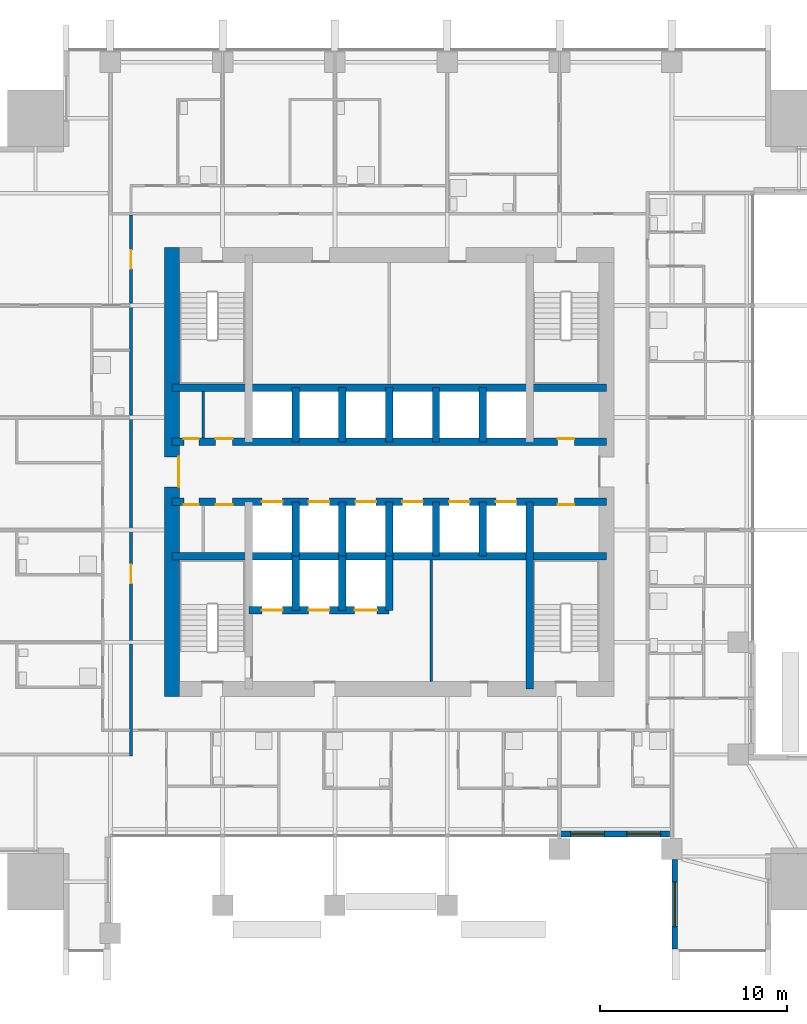
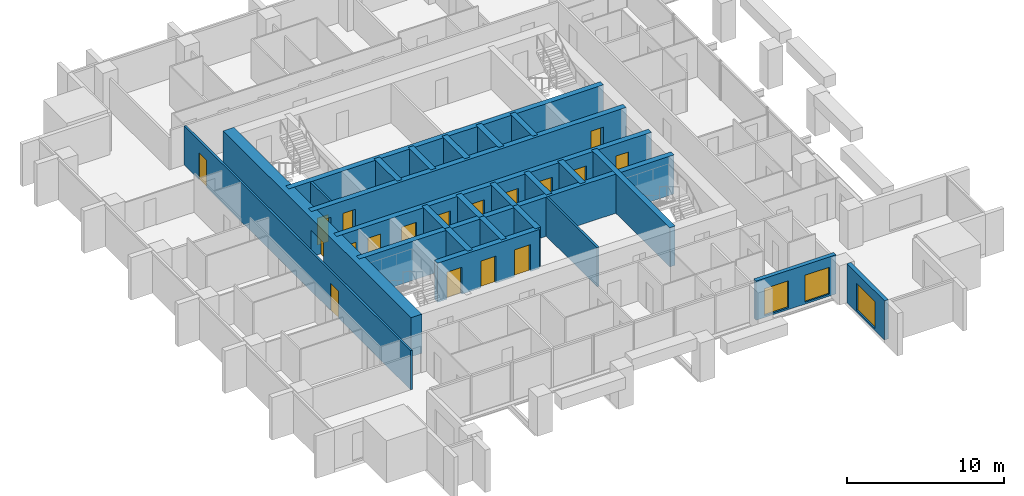
# One storey, part 8 of 13: 25 walls, 18 doors, 3 windows, 21 openings.
"""IFC4 building model written with IfcOpenShell, lengths in metres."""

from ifc_helpers import new_model, si_unit, direction, frame, frame_2d, origin, place, context, subcontext, project, spatial, rectangle, extrude, material, layer, layer_set, type_object, element, fill, save


model = new_model("IFC4")

# Units and contexts
model_context = context("Model", 3, precision=1e-05, world=origin(), true_north=direction((0.0, 1.0)))
body_context = subcontext(model_context, "Body", "Model", "MODEL_VIEW")
ifc_project = project(units=[si_unit("LENGTHUNIT", "METRE"), si_unit("AREAUNIT", "SQUARE_METRE"), si_unit("VOLUMEUNIT", "CUBIC_METRE"), si_unit("PLANEANGLEUNIT", "RADIAN"), si_unit("MASSUNIT", "GRAM", prefix="KILO")], contexts=[model_context])

# Site, building, storey
site_placement = place(None, origin())
site = spatial("IfcSite", under=ifc_project, at=site_placement, CompositionType="ELEMENT")
building_placement = place(site_placement, origin())
building = spatial("IfcBuilding", under=site, at=building_placement, Name="Amberfall Residences", CompositionType="ELEMENT")
storey_placement = place(building_placement, frame((0.0, 0.0, 111.699951171875)))
storey = spatial("IfcBuildingStorey", under=building, at=storey_placement, Name="L30", CompositionType="ELEMENT", Elevation=111.699951171875)

# Wall, opening, window
ifc_material_1 = material(Name="Pale stone cladding on insulated backing", Category="masonry")
ifc_layer_1 = layer(ifc_material_1, 0.300048828125)
ifc_layer_set_1 = layer_set([ifc_layer_1], Name="Bronze clad wall 300")
wall_type_1 = type_object("IfcWallType", Name="Bronze clad wall 300", PredefinedType="SOLIDWALL", material=ifc_layer_set_1)
wall_1_placement = place(storey_placement, frame((89.75, 24.800048828125, 0.0), z_axis=(0.0, 0.0, 1.0), x_axis=(0.0, -1.0, 0.0)))
wall_1 = element("IfcWall", 1, at=wall_1_placement, inside=storey, type_object=wall_type_1, Name="External wall L30 S", PredefinedType="SOLIDWALL", context=body_context, shape_type="SweptSolid", body=[
    extrude(rectangle(XDim=4.800048828125, YDim=0.300048828125, at=frame_2d((2.39990234375, 0.0))), origin(), (0.0, 0.0, 1.0), 3.050048828125),
])
opening_1_placement = place(wall_1_placement, frame((1.199951171875, 0.0, 0.14990234375)))
opening_1 = element("IfcOpeningElement", 2, at=opening_1_placement, cuts=wall_1, Name="Opening WN5", PredefinedType="OPENING", context=body_context, shape_type="SweptSolid", body=[
    extrude(rectangle(XDim=2.39990234375, YDim=2.10009765625, at=frame_2d((1.199951171875, 1.050048828125))), frame((0.0, 0.159912109375, 0.0), z_axis=(0.0, -1.0, 0.0), x_axis=(1.0, 0.0, 0.0)), (0.0, 0.0, 1.0), 0.320068359375),
])
ifc_material_2 = material(Name="Bronze aluminium framed glazing", Category="aluminium")
window_type_1 = type_object("IfcWindowType", Name="Glazed opening 2400 x 2100 bronze", PartitioningType="DOUBLE_PANEL_VERTICAL", PredefinedType="WINDOW", material=ifc_material_2)
window_1_placement = place(opening_1_placement, origin())
window_1 = element("IfcWindow", 3, at=window_1_placement, inside=storey, type_object=window_type_1, Name="Window L30 S", OverallHeight=2.10009765625, OverallWidth=2.39990234375, PartitioningType="DOUBLE_PANEL_VERTICAL", PredefinedType="WINDOW", context=body_context, shape_type="SweptSolid", body=[
    extrude(rectangle(XDim=2.39990234375, YDim=2.10009765625, at=frame_2d((1.199951171875, 1.050048828125))), frame((0.0, 0.030029296875, 0.0), z_axis=(0.0, -1.0, 0.0), x_axis=(1.0, 0.0, 0.0)), (0.0, 0.0, 1.0), 0.06005859375),
])
fill(opening_1, window_1)

# Wall, openings, windows
wall_2_placement = place(storey_placement, frame((83.60009765625, 26.14990234375, 0.0), z_axis=(0.0, 0.0, 1.0), x_axis=(1.0, 0.0, 0.0)))
wall_2 = element("IfcWall", 4, at=wall_2_placement, inside=storey, type_object=wall_type_1, Name="Stone wall L30 S", PredefinedType="SOLIDWALL", context=body_context, shape_type="SweptSolid", body=[
    extrude(rectangle(XDim=5.889892578125, YDim=0.300048828125, at=frame_2d((2.94482421875, 0.0))), origin(), (0.0, 0.0, 1.0), 3.050048828125),
])
opening_2_placement = place(wall_2_placement, frame((0.60009765625, 0.0, 0.14990234375)))
opening_2 = element("IfcOpeningElement", 5, at=opening_2_placement, cuts=wall_2, Name="Opening WN6", PredefinedType="OPENING", context=body_context, shape_type="SweptSolid", body=[
    extrude(rectangle(XDim=1.800048828125, YDim=2.10009765625, at=frame_2d((0.89990234375, 1.050048828125))), frame((0.0, 0.159912109375, 0.0), z_axis=(0.0, -1.0, 0.0), x_axis=(1.0, 0.0, 0.0)), (0.0, 0.0, 1.0), 0.320068359375),
])
opening_3_placement = place(wall_2_placement, frame((3.60009765625, 0.0, 0.14990234375)))
opening_3 = element("IfcOpeningElement", 6, at=opening_3_placement, cuts=wall_2, Name="Opening WN6", PredefinedType="OPENING", context=body_context, shape_type="SweptSolid", body=[
    extrude(rectangle(XDim=1.800048828125, YDim=2.10009765625, at=frame_2d((0.89990234375, 1.050048828125))), frame((0.0, 0.159912109375, 0.0), z_axis=(0.0, -1.0, 0.0), x_axis=(1.0, 0.0, 0.0)), (0.0, 0.0, 1.0), 0.320068359375),
])
window_type_2 = type_object("IfcWindowType", Name="Glazed opening 1800 x 2100 bronze", PartitioningType="DOUBLE_PANEL_VERTICAL", PredefinedType="WINDOW", material=ifc_material_2)
window_2_placement = place(opening_2_placement, origin())
window_2 = element("IfcWindow", 7, at=window_2_placement, inside=storey, type_object=window_type_2, Name="Window L30 S", OverallHeight=2.10009765625, OverallWidth=1.800048828125, PartitioningType="DOUBLE_PANEL_VERTICAL", PredefinedType="WINDOW", context=body_context, shape_type="SweptSolid", body=[
    extrude(rectangle(XDim=1.800048828125, YDim=2.10009765625, at=frame_2d((0.89990234375, 1.050048828125))), frame((0.0, 0.030029296875, 0.0), z_axis=(0.0, -1.0, 0.0), x_axis=(1.0, 0.0, 0.0)), (0.0, 0.0, 1.0), 0.06005859375),
])
fill(opening_2, window_2)
window_3_placement = place(opening_3_placement, origin())
window_3 = element("IfcWindow", 8, at=window_3_placement, inside=storey, type_object=window_type_2, Name="Window L30 S", OverallHeight=2.10009765625, OverallWidth=1.800048828125, PartitioningType="DOUBLE_PANEL_VERTICAL", PredefinedType="WINDOW", context=body_context, shape_type="SweptSolid", body=[
    extrude(rectangle(XDim=1.800048828125, YDim=2.10009765625, at=frame_2d((0.89990234375, 1.050048828125))), frame((0.0, 0.030029296875, 0.0), z_axis=(0.0, -1.0, 0.0), x_axis=(1.0, 0.0, 0.0)), (0.0, 0.0, 1.0), 0.06005859375),
])
fill(opening_3, window_3)

# Wall
ifc_material_3 = material(Name="Concrete C70", Category="concrete")
ifc_layer_2 = layer(ifc_material_3, 0.39990234375)
ifc_layer_set_2 = layer_set([ifc_layer_2], Name="Core wall 400 C70")
wall_type_2 = type_object("IfcWallType", Name="Core wall 400 C70", PredefinedType="SHEAR", material=ifc_layer_set_2)
wall_3_placement = place(storey_placement, frame((62.89990234375, 41.0, 0.0), z_axis=(0.0, 0.0, 1.0), x_axis=(1.0, 0.0, 0.0)))
element("IfcWall", 9, at=wall_3_placement, inside=storey, type_object=wall_type_2, Name="Core wall RW4 L30 H75", PredefinedType="SHEAR", context=body_context, shape_type="SweptSolid", body=[
    extrude(rectangle(XDim=23.2001953125, YDim=0.39990234375, at=frame_2d((11.60009765625, 0.0))), origin(), (0.0, 0.0, 1.0), 3.050048828125),
])

# Wall, openings, doors
wall_4_placement = place(storey_placement, frame((62.89990234375, 43.89990234375, 0.0), z_axis=(0.0, 0.0, 1.0), x_axis=(1.0, 0.0, 0.0)))
wall_4 = element("IfcWall", 10, at=wall_4_placement, inside=storey, type_object=wall_type_2, Name="Core wall RW4 L30 H104", PredefinedType="SHEAR", context=body_context, shape_type="SweptSolid", body=[
    extrude(rectangle(XDim=23.2001953125, YDim=0.39990234375, at=frame_2d((11.60009765625, 0.0))), origin(), (0.0, 0.0, 1.0), 3.050048828125),
])
opening_4_placement = place(wall_4_placement, frame((0.6298828125, 0.0, 0.0)))
opening_4 = element("IfcOpeningElement", 11, at=opening_4_placement, cuts=wall_4, Name="Opening RD2", PredefinedType="OPENING", context=body_context, shape_type="SweptSolid", body=[
    extrude(rectangle(XDim=0.800048828125, YDim=2.10009765625, at=frame_2d((0.39990234375, 1.050048828125))), frame((0.0, 0.2099609375, 0.0), z_axis=(0.0, -1.0, 0.0), x_axis=(1.0, 0.0, 0.0)), (0.0, 0.0, 1.0), 0.419921875),
])
opening_5_placement = place(wall_4_placement, frame((2.330078125, 0.0, 0.0)))
opening_5 = element("IfcOpeningElement", 12, at=opening_5_placement, cuts=wall_4, Name="Opening RD1", PredefinedType="OPENING", context=body_context, shape_type="SweptSolid", body=[
    extrude(rectangle(XDim=0.89990234375, YDim=2.10009765625, at=frame_2d((0.449951171875, 1.050048828125))), frame((0.0, 0.2099609375, 0.0), z_axis=(0.0, -1.0, 0.0), x_axis=(1.0, 0.0, 0.0)), (0.0, 0.0, 1.0), 0.419921875),
])
opening_6_placement = place(wall_4_placement, frame((20.60009765625, 0.0, 0.0)))
opening_6 = element("IfcOpeningElement", 13, at=opening_6_placement, cuts=wall_4, Name="Opening RD1", PredefinedType="OPENING", context=body_context, shape_type="SweptSolid", body=[
    extrude(rectangle(XDim=0.89990234375, YDim=2.10009765625, at=frame_2d((0.449951171875, 1.050048828125))), frame((0.0, 0.2099609375, 0.0), z_axis=(0.0, -1.0, 0.0), x_axis=(1.0, 0.0, 0.0)), (0.0, 0.0, 1.0), 0.419921875),
])
opening_7_placement = place(wall_4_placement, frame((4.800048828125, 0.0, 0.0)))
opening_7 = element("IfcOpeningElement", 14, at=opening_7_placement, cuts=wall_4, Name="Opening LD1", PredefinedType="OPENING", context=body_context, shape_type="SweptSolid", body=[
    extrude(rectangle(XDim=1.10009765625, YDim=2.10009765625, at=frame_2d((0.550048828125, 1.050048828125))), frame((0.0, 0.2099609375, 0.0), z_axis=(0.0, -1.0, 0.0), x_axis=(1.0, 0.0, 0.0)), (0.0, 0.0, 1.0), 0.419921875),
])
opening_8_placement = place(wall_4_placement, frame((7.300048828125, 0.0, 0.0)))
opening_8 = element("IfcOpeningElement", 15, at=opening_8_placement, cuts=wall_4, Name="Opening LD1", PredefinedType="OPENING", context=body_context, shape_type="SweptSolid", body=[
    extrude(rectangle(XDim=1.10009765625, YDim=2.10009765625, at=frame_2d((0.550048828125, 1.050048828125))), frame((0.0, 0.2099609375, 0.0), z_axis=(0.0, -1.0, 0.0), x_axis=(1.0, 0.0, 0.0)), (0.0, 0.0, 1.0), 0.419921875),
])
opening_9_placement = place(wall_4_placement, frame((9.800048828125, 0.0, 0.0)))
opening_9 = element("IfcOpeningElement", 16, at=opening_9_placement, cuts=wall_4, Name="Opening LD1", PredefinedType="OPENING", context=body_context, shape_type="SweptSolid", body=[
    extrude(rectangle(XDim=1.10009765625, YDim=2.10009765625, at=frame_2d((0.550048828125, 1.050048828125))), frame((0.0, 0.2099609375, 0.0), z_axis=(0.0, -1.0, 0.0), x_axis=(1.0, 0.0, 0.0)), (0.0, 0.0, 1.0), 0.419921875),
])
opening_10_placement = place(wall_4_placement, frame((12.300048828125, 0.0, 0.0)))
opening_10 = element("IfcOpeningElement", 17, at=opening_10_placement, cuts=wall_4, Name="Opening LD1", PredefinedType="OPENING", context=body_context, shape_type="SweptSolid", body=[
    extrude(rectangle(XDim=1.10009765625, YDim=2.10009765625, at=frame_2d((0.550048828125, 1.050048828125))), frame((0.0, 0.2099609375, 0.0), z_axis=(0.0, -1.0, 0.0), x_axis=(1.0, 0.0, 0.0)), (0.0, 0.0, 1.0), 0.419921875),
])
opening_11_placement = place(wall_4_placement, frame((14.800048828125, 0.0, 0.0)))
opening_11 = element("IfcOpeningElement", 18, at=opening_11_placement, cuts=wall_4, Name="Opening LD1", PredefinedType="OPENING", context=body_context, shape_type="SweptSolid", body=[
    extrude(rectangle(XDim=1.10009765625, YDim=2.10009765625, at=frame_2d((0.550048828125, 1.050048828125))), frame((0.0, 0.2099609375, 0.0), z_axis=(0.0, -1.0, 0.0), x_axis=(1.0, 0.0, 0.0)), (0.0, 0.0, 1.0), 0.419921875),
])
opening_12_placement = place(wall_4_placement, frame((17.300048828125, 0.0, 0.0)))
opening_12 = element("IfcOpeningElement", 19, at=opening_12_placement, cuts=wall_4, Name="Opening LD1", PredefinedType="OPENING", context=body_context, shape_type="SweptSolid", body=[
    extrude(rectangle(XDim=1.10009765625, YDim=2.10009765625, at=frame_2d((0.550048828125, 1.050048828125))), frame((0.0, 0.2099609375, 0.0), z_axis=(0.0, -1.0, 0.0), x_axis=(1.0, 0.0, 0.0)), (0.0, 0.0, 1.0), 0.419921875),
])
ifc_material_4 = material(Name="Steel fire door set", Category="steel")
door_type_1 = type_object("IfcDoorType", Name="Lift landing door 1100 x 2100", OperationType="DOUBLE_DOOR_SLIDING", PredefinedType="DOOR", material=ifc_material_4)
door_1_placement = place(opening_7_placement, origin())
door_1 = element("IfcDoor", 20, at=door_1_placement, inside=storey, type_object=door_type_1, Name="Landing door LP1 L30", OperationType="DOUBLE_DOOR_SLIDING", OverallHeight=2.10009765625, OverallWidth=1.10009765625, PredefinedType="DOOR", context=body_context, shape_type="SweptSolid", body=[
    extrude(rectangle(XDim=1.10009765625, YDim=2.10009765625, at=frame_2d((0.550048828125, 1.050048828125))), frame((0.0, 0.02490234375, 0.0), z_axis=(0.0, -1.0, 0.0), x_axis=(1.0, 0.0, 0.0)), (0.0, 0.0, 1.0), 0.050048828125),
])
fill(opening_7, door_1)
door_2_placement = place(opening_8_placement, origin())
door_2 = element("IfcDoor", 21, at=door_2_placement, inside=storey, type_object=door_type_1, Name="Landing door LP2 L30", OperationType="DOUBLE_DOOR_SLIDING", OverallHeight=2.10009765625, OverallWidth=1.10009765625, PredefinedType="DOOR", context=body_context, shape_type="SweptSolid", body=[
    extrude(rectangle(XDim=1.10009765625, YDim=2.10009765625, at=frame_2d((0.550048828125, 1.050048828125))), frame((0.0, 0.02490234375, 0.0), z_axis=(0.0, -1.0, 0.0), x_axis=(1.0, 0.0, 0.0)), (0.0, 0.0, 1.0), 0.050048828125),
])
fill(opening_8, door_2)
door_3_placement = place(opening_9_placement, origin())
door_3 = element("IfcDoor", 22, at=door_3_placement, inside=storey, type_object=door_type_1, Name="Landing door LP3 L30", OperationType="DOUBLE_DOOR_SLIDING", OverallHeight=2.10009765625, OverallWidth=1.10009765625, PredefinedType="DOOR", context=body_context, shape_type="SweptSolid", body=[
    extrude(rectangle(XDim=1.10009765625, YDim=2.10009765625, at=frame_2d((0.550048828125, 1.050048828125))), frame((0.0, 0.02490234375, 0.0), z_axis=(0.0, -1.0, 0.0), x_axis=(1.0, 0.0, 0.0)), (0.0, 0.0, 1.0), 0.050048828125),
])
fill(opening_9, door_3)
door_4_placement = place(opening_10_placement, origin())
door_4 = element("IfcDoor", 23, at=door_4_placement, inside=storey, type_object=door_type_1, Name="Landing door LP4 L30", OperationType="DOUBLE_DOOR_SLIDING", OverallHeight=2.10009765625, OverallWidth=1.10009765625, PredefinedType="DOOR", context=body_context, shape_type="SweptSolid", body=[
    extrude(rectangle(XDim=1.10009765625, YDim=2.10009765625, at=frame_2d((0.550048828125, 1.050048828125))), frame((0.0, 0.02490234375, 0.0), z_axis=(0.0, -1.0, 0.0), x_axis=(1.0, 0.0, 0.0)), (0.0, 0.0, 1.0), 0.050048828125),
])
fill(opening_10, door_4)
door_5_placement = place(opening_11_placement, origin())
door_5 = element("IfcDoor", 24, at=door_5_placement, inside=storey, type_object=door_type_1, Name="Landing door LP5 L30", OperationType="DOUBLE_DOOR_SLIDING", OverallHeight=2.10009765625, OverallWidth=1.10009765625, PredefinedType="DOOR", context=body_context, shape_type="SweptSolid", body=[
    extrude(rectangle(XDim=1.10009765625, YDim=2.10009765625, at=frame_2d((0.550048828125, 1.050048828125))), frame((0.0, 0.02490234375, 0.0), z_axis=(0.0, -1.0, 0.0), x_axis=(1.0, 0.0, 0.0)), (0.0, 0.0, 1.0), 0.050048828125),
])
fill(opening_11, door_5)
door_6_placement = place(opening_12_placement, origin())
door_6 = element("IfcDoor", 25, at=door_6_placement, inside=storey, type_object=door_type_1, Name="Landing door LP6 L30", OperationType="DOUBLE_DOOR_SLIDING", OverallHeight=2.10009765625, OverallWidth=1.10009765625, PredefinedType="DOOR", context=body_context, shape_type="SweptSolid", body=[
    extrude(rectangle(XDim=1.10009765625, YDim=2.10009765625, at=frame_2d((0.550048828125, 1.050048828125))), frame((0.0, 0.02490234375, 0.0), z_axis=(0.0, -1.0, 0.0), x_axis=(1.0, 0.0, 0.0)), (0.0, 0.0, 1.0), 0.050048828125),
])
fill(opening_12, door_6)
door_type_2 = type_object("IfcDoorType", Name="Service room door 800 x 2100", OperationType="SINGLE_SWING_LEFT", PredefinedType="DOOR", material=ifc_material_4)
door_7_placement = place(opening_4_placement, origin())
door_7 = element("IfcDoor", 26, at=door_7_placement, inside=storey, type_object=door_type_2, Name="RD2 L30", OperationType="SINGLE_SWING_LEFT", OverallHeight=2.10009765625, OverallWidth=0.800048828125, PredefinedType="DOOR", context=body_context, shape_type="SweptSolid", body=[
    extrude(rectangle(XDim=0.800048828125, YDim=2.10009765625, at=frame_2d((0.39990234375, 1.050048828125))), frame((0.0, -0.1376953125, 0.0), z_axis=(0.0, -1.0, 0.0), x_axis=(1.0, 0.0, 0.0)), (0.0, 0.0, 1.0), 0.050048828125),
])
fill(opening_4, door_7)
door_type_3 = type_object("IfcDoorType", Name="Service room door 900 x 2100", OperationType="SINGLE_SWING_LEFT", PredefinedType="DOOR", material=ifc_material_4)
door_8_placement = place(opening_5_placement, origin())
door_8 = element("IfcDoor", 27, at=door_8_placement, inside=storey, type_object=door_type_3, Name="RD1 L30", OperationType="SINGLE_SWING_RIGHT", OverallHeight=2.10009765625, OverallWidth=0.89990234375, PredefinedType="DOOR", context=body_context, shape_type="SweptSolid", body=[
    extrude(rectangle(XDim=0.89990234375, YDim=2.10009765625, at=frame_2d((0.449951171875, 1.050048828125))), frame((0.0, -0.1376953125, 0.0), z_axis=(0.0, -1.0, 0.0), x_axis=(1.0, 0.0, 0.0)), (0.0, 0.0, 1.0), 0.050048828125),
])
fill(opening_5, door_8)
door_9_placement = place(opening_6_placement, origin())
door_9 = element("IfcDoor", 28, at=door_9_placement, inside=storey, type_object=door_type_3, Name="RD1 L30", OperationType="SINGLE_SWING_LEFT", OverallHeight=2.10009765625, OverallWidth=0.89990234375, PredefinedType="DOOR", context=body_context, shape_type="SweptSolid", body=[
    extrude(rectangle(XDim=0.89990234375, YDim=2.10009765625, at=frame_2d((0.449951171875, 1.050048828125))), frame((0.0, -0.1376953125, 0.0), z_axis=(0.0, -1.0, 0.0), x_axis=(1.0, 0.0, 0.0)), (0.0, 0.0, 1.0), 0.050048828125),
])
fill(opening_6, door_9)

wall_5_placement = place(storey_placement, frame((62.89990234375, 47.10009765625, 0.0), z_axis=(0.0, 0.0, 1.0), x_axis=(1.0, 0.0, 0.0)))
wall_5 = element("IfcWall", 29, at=wall_5_placement, inside=storey, type_object=wall_type_2, Name="Core wall RW4 L30 H136", PredefinedType="SHEAR", context=body_context, shape_type="SweptSolid", body=[
    extrude(rectangle(XDim=23.2001953125, YDim=0.39990234375, at=frame_2d((11.60009765625, 0.0))), origin(), (0.0, 0.0, 1.0), 3.050048828125),
])
opening_13_placement = place(wall_5_placement, frame((0.6298828125, 0.0, 0.0)))
opening_13 = element("IfcOpeningElement", 30, at=opening_13_placement, cuts=wall_5, Name="Opening RD2", PredefinedType="OPENING", context=body_context, shape_type="SweptSolid", body=[
    extrude(rectangle(XDim=0.800048828125, YDim=2.10009765625, at=frame_2d((0.39990234375, 1.050048828125))), frame((0.0, 0.2099609375, 0.0), z_axis=(0.0, -1.0, 0.0), x_axis=(1.0, 0.0, 0.0)), (0.0, 0.0, 1.0), 0.419921875),
])
opening_14_placement = place(wall_5_placement, frame((2.330078125, 0.0, 0.0)))
opening_14 = element("IfcOpeningElement", 31, at=opening_14_placement, cuts=wall_5, Name="Opening RD1", PredefinedType="OPENING", context=body_context, shape_type="SweptSolid", body=[
    extrude(rectangle(XDim=0.89990234375, YDim=2.10009765625, at=frame_2d((0.449951171875, 1.050048828125))), frame((0.0, 0.2099609375, 0.0), z_axis=(0.0, -1.0, 0.0), x_axis=(1.0, 0.0, 0.0)), (0.0, 0.0, 1.0), 0.419921875),
])
opening_15_placement = place(wall_5_placement, frame((20.60009765625, 0.0, 0.0)))
opening_15 = element("IfcOpeningElement", 32, at=opening_15_placement, cuts=wall_5, Name="Opening RD1", PredefinedType="OPENING", context=body_context, shape_type="SweptSolid", body=[
    extrude(rectangle(XDim=0.89990234375, YDim=2.10009765625, at=frame_2d((0.449951171875, 1.050048828125))), frame((0.0, 0.2099609375, 0.0), z_axis=(0.0, -1.0, 0.0), x_axis=(1.0, 0.0, 0.0)), (0.0, 0.0, 1.0), 0.419921875),
])
door_10_placement = place(opening_13_placement, origin())
door_10 = element("IfcDoor", 33, at=door_10_placement, inside=storey, type_object=door_type_2, Name="RD2 L30", OperationType="SINGLE_SWING_LEFT", OverallHeight=2.10009765625, OverallWidth=0.800048828125, PredefinedType="DOOR", context=body_context, shape_type="SweptSolid", body=[
    extrude(rectangle(XDim=0.800048828125, YDim=2.10009765625, at=frame_2d((0.39990234375, 1.050048828125))), frame((0.0, 0.1875, 0.0), z_axis=(0.0, -1.0, 0.0), x_axis=(1.0, 0.0, 0.0)), (0.0, 0.0, 1.0), 0.050048828125),
])
fill(opening_13, door_10)
door_11_placement = place(opening_14_placement, origin())
door_11 = element("IfcDoor", 34, at=door_11_placement, inside=storey, type_object=door_type_3, Name="RD1 L30", OperationType="SINGLE_SWING_RIGHT", OverallHeight=2.10009765625, OverallWidth=0.89990234375, PredefinedType="DOOR", context=body_context, shape_type="SweptSolid", body=[
    extrude(rectangle(XDim=0.89990234375, YDim=2.10009765625, at=frame_2d((0.449951171875, 1.050048828125))), frame((0.0, 0.1875, 0.0), z_axis=(0.0, -1.0, 0.0), x_axis=(1.0, 0.0, 0.0)), (0.0, 0.0, 1.0), 0.050048828125),
])
fill(opening_14, door_11)
door_12_placement = place(opening_15_placement, origin())
door_12 = element("IfcDoor", 35, at=door_12_placement, inside=storey, type_object=door_type_3, Name="RD1 L30", OperationType="SINGLE_SWING_LEFT", OverallHeight=2.10009765625, OverallWidth=0.89990234375, PredefinedType="DOOR", context=body_context, shape_type="SweptSolid", body=[
    extrude(rectangle(XDim=0.89990234375, YDim=2.10009765625, at=frame_2d((0.449951171875, 1.050048828125))), frame((0.0, 0.1875, 0.0), z_axis=(0.0, -1.0, 0.0), x_axis=(1.0, 0.0, 0.0)), (0.0, 0.0, 1.0), 0.050048828125),
])
fill(opening_15, door_12)

# Walls
wall_6_placement = place(storey_placement, frame((62.89990234375, 50.0, 0.0), z_axis=(0.0, 0.0, 1.0), x_axis=(1.0, 0.0, 0.0)))
element("IfcWall", 36, at=wall_6_placement, inside=storey, type_object=wall_type_2, Name="Core wall RW4 L30 H165", PredefinedType="SHEAR", context=body_context, shape_type="SweptSolid", body=[
    extrude(rectangle(XDim=23.2001953125, YDim=0.39990234375, at=frame_2d((11.60009765625, 0.0))), origin(), (0.0, 0.0, 1.0), 3.050048828125),
])
wall_7_placement = place(storey_placement, frame((82.0, 33.89990234375, 0.0), z_axis=(0.0, 0.0, 1.0), x_axis=(0.0, 1.0, 0.0)))
element("IfcWall", 37, at=wall_7_placement, inside=storey, type_object=wall_type_2, Name="Core wall RW4 L30 V195S", PredefinedType="SHEAR", context=body_context, shape_type="SweptSolid", body=[
    extrude(rectangle(XDim=10.0, YDim=0.39990234375, at=frame_2d((5.0, 0.0))), origin(), (0.0, 0.0, 1.0), 3.050048828125),
])
for number, where, z_axis, x_axis, name in (
    (38, (69.5, 41.0, 0.0), (0.0, 0.0, 1.0), (0.0, 1.0, 0.0), "Core wall RW4 L30 LPD1"),
    (39, (69.5, 47.10009765625, 0.0), (0.0, 0.0, 1.0), (0.0, 1.0, 0.0), "Core wall RW4 L30 HPD1"),
    (40, (72.0, 41.0, 0.0), (0.0, 0.0, 1.0), (0.0, 1.0, 0.0), "Core wall RW4 L30 LPD2"),
    (41, (72.0, 47.10009765625, 0.0), (0.0, 0.0, 1.0), (0.0, 1.0, 0.0), "Core wall RW4 L30 HPD2"),
    (42, (74.5, 41.0, 0.0), (0.0, 0.0, 1.0), (0.0, 1.0, 0.0), "Core wall RW4 L30 LPD3"),
    (43, (74.5, 47.10009765625, 0.0), (0.0, 0.0, 1.0), (0.0, 1.0, 0.0), "Core wall RW4 L30 HPD3"),
    (44, (77.0, 41.0, 0.0), (0.0, 0.0, 1.0), (0.0, 1.0, 0.0), "Core wall RW4 L30 LPD4"),
    (45, (77.0, 47.10009765625, 0.0), (0.0, 0.0, 1.0), (0.0, 1.0, 0.0), "Core wall RW4 L30 HPD4"),
    (46, (79.5, 41.0, 0.0), (0.0, 0.0, 1.0), (0.0, 1.0, 0.0), "Core wall RW4 L30 LPD5"),
    (47, (79.5, 47.10009765625, 0.0), (0.0, 0.0, 1.0), (0.0, 1.0, 0.0), "Core wall RW4 L30 HPD5"),
):
    element("IfcWall", number, at=place(storey_placement, frame(where, z_axis=z_axis, x_axis=x_axis)), inside=storey, type_object=wall_type_2, Name=name, PredefinedType="SHEAR", context=body_context, shape_type="SweptSolid", body=[
        extrude(rectangle(XDim=2.89990234375, YDim=0.39990234375, at=frame_2d((1.449951171875, 0.0))), origin(), (0.0, 0.0, 1.0), 3.050048828125),
    ])

# Wall, openings, doors
wall_8_placement = place(storey_placement, frame((67.0, 38.10009765625, 0.0), z_axis=(0.0, 0.0, 1.0), x_axis=(1.0, 0.0, 0.0)))
wall_8 = element("IfcWall", 48, at=wall_8_placement, inside=storey, type_object=wall_type_2, Name="Core wall RW4 L30 FFF", PredefinedType="SHEAR", context=body_context, shape_type="SweptSolid", body=[
    extrude(rectangle(XDim=7.5, YDim=0.39990234375, at=frame_2d((3.75, 0.0))), origin(), (0.0, 0.0, 1.0), 3.050048828125),
])
opening_16_placement = place(wall_8_placement, frame((0.699951171875, 0.0, 0.0)))
opening_16 = element("IfcOpeningElement", 49, at=opening_16_placement, cuts=wall_8, Name="Opening LD2", PredefinedType="OPENING", context=body_context, shape_type="SweptSolid", body=[
    extrude(rectangle(XDim=1.10009765625, YDim=2.10009765625, at=frame_2d((0.550048828125, 1.050048828125))), frame((0.0, 0.2099609375, 0.0), z_axis=(0.0, -1.0, 0.0), x_axis=(1.0, 0.0, 0.0)), (0.0, 0.0, 1.0), 0.419921875),
])
opening_17_placement = place(wall_8_placement, frame((3.199951171875, 0.0, 0.0)))
opening_17 = element("IfcOpeningElement", 50, at=opening_17_placement, cuts=wall_8, Name="Opening LD2", PredefinedType="OPENING", context=body_context, shape_type="SweptSolid", body=[
    extrude(rectangle(XDim=1.10009765625, YDim=2.10009765625, at=frame_2d((0.550048828125, 1.050048828125))), frame((0.0, 0.2099609375, 0.0), z_axis=(0.0, -1.0, 0.0), x_axis=(1.0, 0.0, 0.0)), (0.0, 0.0, 1.0), 0.419921875),
])
opening_18_placement = place(wall_8_placement, frame((5.64990234375, 0.0, 0.0)))
opening_18 = element("IfcOpeningElement", 51, at=opening_18_placement, cuts=wall_8, Name="Opening LD3", PredefinedType="OPENING", context=body_context, shape_type="SweptSolid", body=[
    extrude(rectangle(XDim=1.199951171875, YDim=2.10009765625, at=frame_2d((0.60009765625, 1.050048828125))), frame((0.0, 0.2099609375, 0.0), z_axis=(0.0, -1.0, 0.0), x_axis=(1.0, 0.0, 0.0)), (0.0, 0.0, 1.0), 0.419921875),
])
door_type_4 = type_object("IfcDoorType", Name="Firefighting lift landing door 1100 x 2100", OperationType="DOUBLE_DOOR_SLIDING", PredefinedType="DOOR", material=ifc_material_4)
door_13_placement = place(opening_16_placement, origin())
door_13 = element("IfcDoor", 52, at=door_13_placement, inside=storey, type_object=door_type_4, Name="Landing door FF1 L30", OperationType="DOUBLE_DOOR_SLIDING", OverallHeight=2.10009765625, OverallWidth=1.10009765625, PredefinedType="DOOR", context=body_context, shape_type="SweptSolid", body=[
    extrude(rectangle(XDim=1.10009765625, YDim=2.10009765625, at=frame_2d((0.550048828125, 1.050048828125))), frame((0.0, 0.02490234375, 0.0), z_axis=(0.0, -1.0, 0.0), x_axis=(1.0, 0.0, 0.0)), (0.0, 0.0, 1.0), 0.050048828125),
])
fill(opening_16, door_13)
door_14_placement = place(opening_17_placement, origin())
door_14 = element("IfcDoor", 53, at=door_14_placement, inside=storey, type_object=door_type_4, Name="Landing door FF2 L30", OperationType="DOUBLE_DOOR_SLIDING", OverallHeight=2.10009765625, OverallWidth=1.10009765625, PredefinedType="DOOR", context=body_context, shape_type="SweptSolid", body=[
    extrude(rectangle(XDim=1.10009765625, YDim=2.10009765625, at=frame_2d((0.550048828125, 1.050048828125))), frame((0.0, 0.02490234375, 0.0), z_axis=(0.0, -1.0, 0.0), x_axis=(1.0, 0.0, 0.0)), (0.0, 0.0, 1.0), 0.050048828125),
])
fill(opening_17, door_14)
door_type_5 = type_object("IfcDoorType", Name="Service lift landing door 1200 x 2100", OperationType="DOUBLE_DOOR_SLIDING", PredefinedType="DOOR", material=ifc_material_4)
door_15_placement = place(opening_18_placement, origin())
door_15 = element("IfcDoor", 54, at=door_15_placement, inside=storey, type_object=door_type_5, Name="Landing door SL1 L30", OperationType="DOUBLE_DOOR_SLIDING", OverallHeight=2.10009765625, OverallWidth=1.199951171875, PredefinedType="DOOR", context=body_context, shape_type="SweptSolid", body=[
    extrude(rectangle(XDim=1.199951171875, YDim=2.10009765625, at=frame_2d((0.60009765625, 1.050048828125))), frame((0.0, 0.02490234375, 0.0), z_axis=(0.0, -1.0, 0.0), x_axis=(1.0, 0.0, 0.0)), (0.0, 0.0, 1.0), 0.050048828125),
])
fill(opening_18, door_15)

# Walls
for number, where, z_axis, x_axis, name in (
    (55, (69.5, 38.10009765625, 0.0), (0.0, 0.0, 1.0), (0.0, 1.0, 0.0), "Core wall RW4 L30 FFD1"),
    (56, (72.0, 38.10009765625, 0.0), (0.0, 0.0, 1.0), (0.0, 1.0, 0.0), "Core wall RW4 L30 FFD2"),
    (57, (74.5, 38.10009765625, 0.0), (0.0, 0.0, 1.0), (0.0, 1.0, 0.0), "Core wall RW4 L30 FFD3"),
):
    element("IfcWall", number, at=place(storey_placement, frame(where, z_axis=z_axis, x_axis=x_axis)), inside=storey, type_object=wall_type_2, Name=name, PredefinedType="SHEAR", context=body_context, shape_type="SweptSolid", body=[
        extrude(rectangle(XDim=2.89990234375, YDim=0.39990234375, at=frame_2d((1.449951171875, 0.0))), origin(), (0.0, 0.0, 1.0), 3.050048828125),
    ])

# Wall, opening, door
ifc_layer_3 = layer(ifc_material_3, 0.800048828125)
ifc_layer_set_3 = layer_set([ifc_layer_3], Name="Core wall 800 C70")
wall_type_3 = type_object("IfcWallType", Name="Core wall 800 C70", PredefinedType="SHEAR", material=ifc_layer_set_3)
wall_9_placement = place(storey_placement, frame((62.89990234375, 33.5, 0.0), z_axis=(0.0, 0.0, 1.0), x_axis=(0.0, 1.0, 0.0)))
wall_9 = element("IfcWall", 58, at=wall_9_placement, inside=storey, type_object=wall_type_3, Name="Core wall RW3 L30 OW", PredefinedType="SHEAR", context=body_context, shape_type="SweptSolid", body=[
    extrude(rectangle(XDim=24.0, YDim=0.800048828125, at=frame_2d((12.0, 0.0))), origin(), (0.0, 0.0, 1.0), 3.050048828125),
])
opening_19_placement = place(wall_9_placement, frame((11.199951171875, 0.0, 0.0)))
opening_19 = element("IfcOpeningElement", 59, at=opening_19_placement, cuts=wall_9, Name="Opening LB1", PredefinedType="OPENING", context=body_context, shape_type="SweptSolid", body=[
    extrude(rectangle(XDim=1.60009765625, YDim=2.10009765625, at=frame_2d((0.800048828125, 1.050048828125))), frame((0.0, 0.409912109375, 0.0), z_axis=(0.0, -1.0, 0.0), x_axis=(1.0, 0.0, 0.0)), (0.0, 0.0, 1.0), 0.820068359375),
])
door_type_6 = type_object("IfcDoorType", Name="Lift lobby double door 1600 x 2100", OperationType="DOUBLE_DOOR_SINGLE_SWING", PredefinedType="DOOR", material=ifc_material_4)
door_16_placement = place(opening_19_placement, origin())
door_16 = element("IfcDoor", 60, at=door_16_placement, inside=storey, type_object=door_type_6, Name="LB1 L30", OperationType="DOUBLE_DOOR_SINGLE_SWING", OverallHeight=2.10009765625, OverallWidth=1.60009765625, PredefinedType="DOOR", context=body_context, shape_type="SweptSolid", body=[
    extrude(rectangle(XDim=1.60009765625, YDim=2.10009765625, at=frame_2d((0.800048828125, 1.050048828125))), frame((0.0, -0.33740234375, 0.0), z_axis=(0.0, -1.0, 0.0), x_axis=(1.0, 0.0, 0.0)), (0.0, 0.0, 1.0), 0.050048828125),
])
fill(opening_19, door_16)

# Wall, openings, doors
ifc_material_5 = material(Name="Blockwork, plastered", Category="masonry")
ifc_layer_4 = layer(ifc_material_5, 0.14990234375)
ifc_layer_set_4 = layer_set([ifc_layer_4], Name="Flat separating wall 150")
wall_type_4 = type_object("IfcWallType", Name="Flat separating wall 150", PredefinedType="PARTITIONING", material=ifc_layer_set_4)
wall_10_placement = place(storey_placement, frame((60.699951171875, 30.324951171875, 0.0), z_axis=(0.0, 0.0, 1.0), x_axis=(0.0, 1.0, 0.0)))
wall_10 = element("IfcWall", 61, at=wall_10_placement, inside=storey, type_object=wall_type_4, Name="Separating wall 052", PredefinedType="PARTITIONING", context=body_context, shape_type="SweptSolid", body=[
    extrude(rectangle(XDim=28.900146484375, YDim=0.14990234375, at=frame_2d((14.4501953125, 0.0))), origin(), (0.0, 0.0, 1.0), 3.050048828125),
])
opening_20_placement = place(wall_10_placement, frame((9.22509765625, 0.0, 0.0)))
opening_20 = element("IfcOpeningElement", 62, at=opening_20_placement, cuts=wall_10, Name="Opening D40", PredefinedType="OPENING", context=body_context, shape_type="SweptSolid", body=[
    extrude(rectangle(XDim=1.0, YDim=2.10009765625, at=frame_2d((0.5, 1.050048828125))), frame((0.0, 0.0849609375, 0.0), z_axis=(0.0, -1.0, 0.0), x_axis=(1.0, 0.0, 0.0)), (0.0, 0.0, 1.0), 0.169921875),
])
opening_21_placement = place(wall_10_placement, frame((26.02490234375, 0.0, 0.0)))
opening_21 = element("IfcOpeningElement", 63, at=opening_21_placement, cuts=wall_10, Name="Opening D40", PredefinedType="OPENING", context=body_context, shape_type="SweptSolid", body=[
    extrude(rectangle(XDim=1.0, YDim=2.10009765625, at=frame_2d((0.5, 1.050048828125))), frame((0.0, 0.0849609375, 0.0), z_axis=(0.0, -1.0, 0.0), x_axis=(1.0, 0.0, 0.0)), (0.0, 0.0, 1.0), 0.169921875),
])
ifc_material_6 = material(Name="Timber, fire-rated", Category="wood")
door_type_7 = type_object("IfcDoorType", Name="Flat entrance door FD60 1000 x 2100", OperationType="SINGLE_SWING_LEFT", PredefinedType="DOOR", material=ifc_material_6)
door_17_placement = place(opening_20_placement, origin())
door_17 = element("IfcDoor", 64, at=door_17_placement, inside=storey, type_object=door_type_7, Name="Door 3009 entrance", OperationType="SINGLE_SWING_LEFT", OverallHeight=2.10009765625, OverallWidth=1.0, PredefinedType="DOOR", context=body_context, shape_type="SweptSolid", body=[
    extrude(rectangle(XDim=1.0, YDim=2.10009765625, at=frame_2d((0.5, 1.050048828125))), frame((0.0, 0.02490234375, 0.0), z_axis=(0.0, -1.0, 0.0), x_axis=(1.0, 0.0, 0.0)), (0.0, 0.0, 1.0), 0.050048828125),
])
fill(opening_20, door_17)
door_18_placement = place(opening_21_placement, origin())
door_18 = element("IfcDoor", 65, at=door_18_placement, inside=storey, type_object=door_type_7, Name="Door 3010 entrance", OperationType="SINGLE_SWING_LEFT", OverallHeight=2.10009765625, OverallWidth=1.0, PredefinedType="DOOR", context=body_context, shape_type="SweptSolid", body=[
    extrude(rectangle(XDim=1.0, YDim=2.10009765625, at=frame_2d((0.5, 1.050048828125))), frame((0.0, 0.02490234375, 0.0), z_axis=(0.0, -1.0, 0.0), x_axis=(1.0, 0.0, 0.0)), (0.0, 0.0, 1.0), 0.050048828125),
])
fill(opening_21, door_18)

# Walls
ifc_material_7 = material(Name="Concrete blockwork", Category="masonry")
ifc_layer_5 = layer(ifc_material_7, 0.14990234375)
ifc_layer_set_5 = layer_set([ifc_layer_5], Name="Riser wall 150")
wall_type_5 = type_object("IfcWallType", Name="Riser wall 150", PredefinedType="PLUMBINGWALL", material=ifc_layer_set_5)
wall_11_placement = place(storey_placement, frame((76.75, 34.300048828125, 0.0), z_axis=(0.0, 0.0, 1.0), x_axis=(0.0, 1.0, 0.0)))
element("IfcWall", 66, at=wall_11_placement, inside=storey, type_object=wall_type_5, Name="L30 core wall PX", PredefinedType="PLUMBINGWALL", context=body_context, shape_type="SweptSolid", body=[
    extrude(rectangle(XDim=6.5, YDim=0.14990234375, at=frame_2d((3.25, 0.0))), origin(), (0.0, 0.0, 1.0), 3.050048828125),
])
wall_12_placement = place(storey_placement, frame((64.56005859375, 47.300048828125, 0.0), z_axis=(0.0, 0.0, 1.0), x_axis=(0.0, 1.0, 0.0)))
element("IfcWall", 67, at=wall_12_placement, inside=storey, type_object=wall_type_5, Name="L30 core wall ANW0", PredefinedType="PLUMBINGWALL", context=body_context, shape_type="SweptSolid", body=[
    extrude(rectangle(XDim=2.5, YDim=0.14990234375, at=frame_2d((1.25, 0.0))), origin(), (0.0, 0.0, 1.0), 3.050048828125),
])

save(model, "model.ifc")
